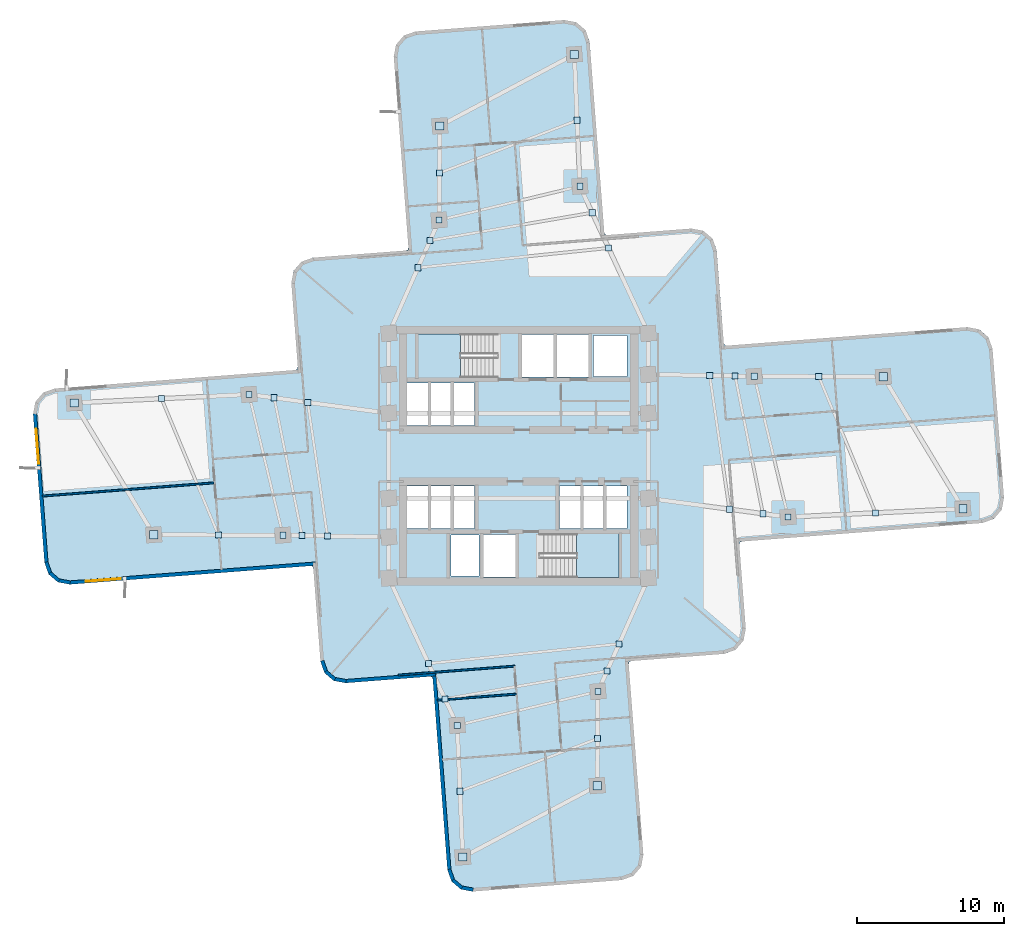
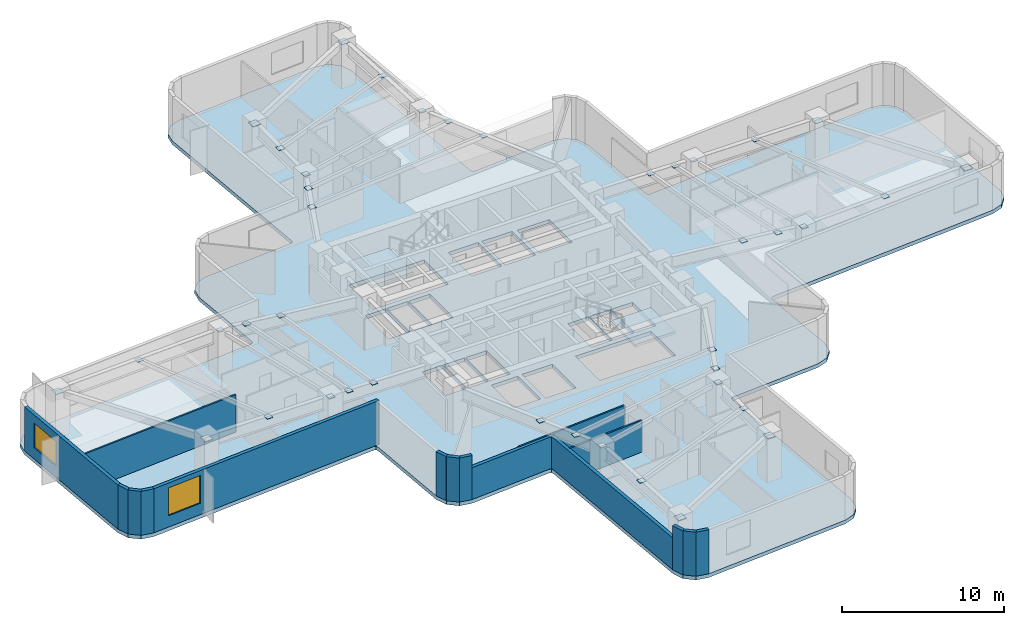
# One storey, part 2 of 10: 40 plates, 16 walls, 3 slabs, 2 windows, 2 openings, 2 elements without a shape of their own.
"""IFC4 building model written with IfcOpenShell, lengths in metres."""

from ifc_helpers import new_model, si_unit, direction, frame, frame_2d, origin, origin_2d, place, context, subcontext, project, spatial, polyline, rectangle, outline, extrude, material, layer, layer_set, type_object, element, fill, aggregate, save


model = new_model("IFC4")

# Units and contexts
model_context = context("Model", 3, precision=1e-05, world=origin(), true_north=direction((0.0, 1.0)))
body_context = subcontext(model_context, "Body", "Model", "MODEL_VIEW")
ifc_project = project(units=[si_unit("LENGTHUNIT", "METRE"), si_unit("AREAUNIT", "SQUARE_METRE"), si_unit("VOLUMEUNIT", "CUBIC_METRE"), si_unit("PLANEANGLEUNIT", "RADIAN"), si_unit("MASSUNIT", "GRAM", prefix="KILO")], contexts=[model_context])

# Site, building, storey
site_placement = place(None, origin())
site = spatial("IfcSite", under=ifc_project, at=site_placement, CompositionType="ELEMENT")
building_placement = place(site_placement, origin())
building = spatial("IfcBuilding", under=site, at=building_placement, Name="Solmarez Civic Tower", CompositionType="ELEMENT")
storey_placement = place(building_placement, frame((0.0, 0.0, 56.8798828125)))
storey = spatial("IfcBuildingStorey", under=building, at=storey_placement, Name="L14", CompositionType="ELEMENT", Elevation=56.8798828125)

# Plates
ifc_material_1 = material(Name="Steel S355", Category="steel")
ifc_layer_1 = layer(ifc_material_1, 0.02392578125)
ifc_layer_set_1 = layer_set([ifc_layer_1], Name="Steel S355")
plate_type_1 = type_object("IfcPlateType", Name="PLT-CAP-380", PredefinedType="USERDEFINED", material=ifc_layer_set_1)
for number, where, z_axis, x_axis, name in (
    (1, (18.39111328125, -4.18408203125, 3.158203125), (0.0, 0.0, 1.0), (1.0, 0.0, 0.0), "Steel Member End Cap Plate CAP-BM-L14-EA-T1-0"),
    (2, (16.075927734375, 5.4208984375, 3.158203125), (0.0, 0.0, 1.0), (1.0, 0.0, 0.0), "Steel Member End Cap Plate CAP-BM-L14-EA-T1-1"),
    (3, (24.35498046875, -3.89697265625, 3.158203125), (0.0, 0.0, 1.0), (1.0, 0.0, 0.0), "Steel Member End Cap Plate CAP-JS-L14-EA-M2-0"),
    (4, (20.48193359375, 5.406982421875, 3.158203125), (0.0, 0.0, 1.0), (1.0, 0.0, 0.0), "Steel Member End Cap Plate CAP-JS-L14-EA-M2-1"),
    (5, (14.384033203125, -3.64501953125, 3.158203125), (0.0, 0.0, 1.0), (1.0, 0.0, 0.0), "Steel Member End Cap Plate CAP-JS-L14-EA-M11-0"),
    (6, (13.041015625, 5.47509765625, 3.158203125), (0.0, 0.0, 1.0), (1.0, 0.0, 0.0), "Steel Member End Cap Plate CAP-JS-L14-EA-M11-1"),
    (7, (16.674072265625, -3.952880859375, 3.158203125), (0.0, 0.0, 1.0), (1.0, 0.0, 0.0), "Steel Member End Cap Plate CAP-JS-L14-EA-M12-0"),
    (8, (14.77490234375, 5.444091796875, 3.158203125), (0.0, 0.0, 1.0), (1.0, 0.0, 0.0), "Steel Member End Cap Plate CAP-JS-L14-EA-M12-1"),
    (9, (4.18408203125, 18.39111328125, 3.158203125), (0.0, 0.0, 1.0), (1.0, 0.0, 0.0), "Steel Member End Cap Plate CAP-BM-L14-NA-T1-0"),
    (10, (-5.4208984375, 16.075927734375, 3.158203125), (0.0, 0.0, 1.0), (1.0, 0.0, 0.0), "Steel Member End Cap Plate CAP-BM-L14-NA-T1-1"),
    (11, (3.9951171875, 22.886962890625, 3.158203125), (0.0, 0.0, 1.0), (1.0, 0.0, 0.0), "Steel Member End Cap Plate CAP-JS-L14-NA-M2-0"),
    (12, (-5.39599609375, 19.291015625, 3.158203125), (0.0, 0.0, 1.0), (1.0, 0.0, 0.0), "Steel Member End Cap Plate CAP-JS-L14-NA-M2-1"),
    (13, (6.14404296875, 14.174072265625, 3.158203125), (0.0, 0.0, 1.0), (1.0, 0.0, 0.0), "Steel Member End Cap Plate CAP-JS-L14-NA-M11-0"),
    (14, (-6.861083984375, 12.8310546875, 3.158203125), (0.0, 0.0, 1.0), (1.0, 0.0, 0.0), "Steel Member End Cap Plate CAP-JS-L14-NA-M11-1"),
    (15, (5.02392578125, 16.583984375, 3.158203125), (0.0, 0.0, 1.0), (1.0, 0.0, 0.0), "Steel Member End Cap Plate CAP-JS-L14-NA-M12-0"),
    (16, (-6.0380859375, 14.68505859375, 3.158203125), (0.0, 0.0, 1.0), (1.0, 0.0, 0.0), "Steel Member End Cap Plate CAP-JS-L14-NA-M12-1"),
    (17, (-18.39111328125, 4.18408203125, 3.158203125), (0.0, 0.0, 1.0), (1.0, 0.0, 0.0), "Steel Member End Cap Plate CAP-BM-L14-WA-T1-0"),
    (18, (-16.075927734375, -5.4208984375, 3.158203125), (0.0, 0.0, 1.0), (1.0, 0.0, 0.0), "Steel Member End Cap Plate CAP-BM-L14-WA-T1-1"),
    (19, (-24.35498046875, 3.89697265625, 3.158203125), (0.0, 0.0, 1.0), (1.0, 0.0, 0.0), "Steel Member End Cap Plate CAP-JS-L14-WA-M2-0"),
    (20, (-20.48193359375, -5.406982421875, 3.158203125), (0.0, 0.0, 1.0), (1.0, 0.0, 0.0), "Steel Member End Cap Plate CAP-JS-L14-WA-M2-1"),
    (21, (-14.384033203125, 3.64501953125, 3.158203125), (0.0, 0.0, 1.0), (1.0, 0.0, 0.0), "Steel Member End Cap Plate CAP-JS-L14-WA-M11-0"),
    (22, (-13.041015625, -5.47509765625, 3.158203125), (0.0, 0.0, 1.0), (1.0, 0.0, 0.0), "Steel Member End Cap Plate CAP-JS-L14-WA-M11-1"),
    (23, (-16.674072265625, 3.952880859375, 3.158203125), (0.0, 0.0, 1.0), (1.0, 0.0, 0.0), "Steel Member End Cap Plate CAP-JS-L14-WA-M12-0"),
    (24, (-14.77490234375, -5.444091796875, 3.158203125), (0.0, 0.0, 1.0), (1.0, 0.0, 0.0), "Steel Member End Cap Plate CAP-JS-L14-WA-M12-1"),
    (25, (-4.18408203125, -18.39111328125, 3.158203125), (0.0, 0.0, 1.0), (1.0, 0.0, 0.0), "Steel Member End Cap Plate CAP-BM-L14-SA-T1-0"),
    (26, (5.4208984375, -16.075927734375, 3.158203125), (0.0, 0.0, 1.0), (1.0, 0.0, 0.0), "Steel Member End Cap Plate CAP-BM-L14-SA-T1-1"),
    (27, (-3.9951171875, -22.886962890625, 3.158203125), (0.0, 0.0, 1.0), (1.0, 0.0, 0.0), "Steel Member End Cap Plate CAP-JS-L14-SA-M2-0"),
    (28, (5.39599609375, -19.291015625, 3.158203125), (0.0, 0.0, 1.0), (1.0, 0.0, 0.0), "Steel Member End Cap Plate CAP-JS-L14-SA-M2-1"),
    (29, (-6.14404296875, -14.174072265625, 3.158203125), (0.0, 0.0, 1.0), (1.0, 0.0, 0.0), "Steel Member End Cap Plate CAP-JS-L14-SA-M11-0"),
    (30, (6.861083984375, -12.8310546875, 3.158203125), (0.0, 0.0, 1.0), (1.0, 0.0, 0.0), "Steel Member End Cap Plate CAP-JS-L14-SA-M11-1"),
    (31, (-5.02392578125, -16.583984375, 3.158203125), (0.0, 0.0, 1.0), (1.0, 0.0, 0.0), "Steel Member End Cap Plate CAP-JS-L14-SA-M12-0"),
    (32, (6.0380859375, -14.68505859375, 3.158203125), (0.0, 0.0, 1.0), (1.0, 0.0, 0.0), "Steel Member End Cap Plate CAP-JS-L14-SA-M12-1"),
):
    element("IfcPlate", number, at=place(storey_placement, frame(where, z_axis=z_axis, x_axis=x_axis)), inside=storey, type_object=plate_type_1, Name=name, ObjectType="CAP_PLATE", PredefinedType="USERDEFINED", context=body_context, shape_type="SweptSolid", body=[
        extrude(rectangle(XDim=0.419921875, YDim=0.419921875, at=origin_2d()), origin(), (0.0, 0.0, 1.0), 0.02392578125),
    ])
ifc_layer_2 = layer(ifc_material_1, 0.028076171875)
ifc_layer_set_2 = layer_set([ifc_layer_2], Name="Steel S355")
plate_type_2 = type_object("IfcPlateType", Name="PLT-CAP-540", PredefinedType="USERDEFINED", material=ifc_layer_set_2)
for number, where, z_axis, x_axis, name in (
    (33, (30.318115234375, -3.60888671875, 3.05615234375), (0.0, 0.0, 1.0), (1.0, 0.0, 0.0), "Steel Member End Cap Plate CAP-BM-L14-EA-T2-0"),
    (34, (24.887939453125, 5.39306640625, 3.05615234375), (0.0, 0.0, 1.0), (1.0, 0.0, 0.0), "Steel Member End Cap Plate CAP-BM-L14-EA-T2-1"),
    (35, (3.806884765625, 27.383056640625, 3.05615234375), (0.0, 0.0, 1.0), (1.0, 0.0, 0.0), "Steel Member End Cap Plate CAP-BM-L14-NA-T2-0"),
    (36, (-5.3720703125, 22.507080078125, 3.05615234375), (0.0, 0.0, 1.0), (1.0, 0.0, 0.0), "Steel Member End Cap Plate CAP-BM-L14-NA-T2-1"),
    (37, (-30.318115234375, 3.60888671875, 3.05615234375), (0.0, 0.0, 1.0), (1.0, 0.0, 0.0), "Steel Member End Cap Plate CAP-BM-L14-WA-T2-0"),
    (38, (-24.887939453125, -5.39306640625, 3.05615234375), (0.0, 0.0, 1.0), (1.0, 0.0, 0.0), "Steel Member End Cap Plate CAP-BM-L14-WA-T2-1"),
    (39, (-3.806884765625, -27.383056640625, 3.05615234375), (0.0, 0.0, 1.0), (1.0, 0.0, 0.0), "Steel Member End Cap Plate CAP-BM-L14-SA-T2-0"),
    (40, (5.3720703125, -22.507080078125, 3.05615234375), (0.0, 0.0, 1.0), (1.0, 0.0, 0.0), "Steel Member End Cap Plate CAP-BM-L14-SA-T2-1"),
):
    element("IfcPlate", number, at=place(storey_placement, frame(where, z_axis=z_axis, x_axis=x_axis)), inside=storey, type_object=plate_type_2, Name=name, ObjectType="CAP_PLATE", PredefinedType="USERDEFINED", context=body_context, shape_type="SweptSolid", body=[
        extrude(rectangle(XDim=0.56005859375, YDim=0.56005859375, at=origin_2d()), origin(), (0.0, 0.0, 1.0), 0.028076171875),
    ])

# Stair, slab
ifc_material_2 = material(Name="Concrete C50/60", Category="concrete")
stair_type = type_object("IfcStairType", Name="STAIR-DOGLEG-140W-20R-1800", PredefinedType="HALF_TURN_STAIR", material=ifc_material_2)
stair_1_placement = place(storey_placement, origin())
stair_1 = element("IfcStair", 41, at=stair_1_placement, inside=storey, type_object=stair_type, Name="L14 North Core Protected Exit Stair ST-1", PredefinedType="HALF_TURN_STAIR")
ifc_layer_3 = layer(ifc_material_2, 0.199951171875)
ifc_layer_set_3 = layer_set([ifc_layer_3], Name="Concrete C50/60")
slab_type_1 = type_object("IfcSlabType", Name="SLAB-LANDING-200", PredefinedType="LANDING", material=ifc_layer_set_3)
slab_1_placement = place(storey_placement, frame((0.0, 0.0, 1.60009765625)))
slab_1 = element("IfcSlab", 42, at=slab_1_placement, type_object=slab_type_1, Name="ST-1 landing 1", PredefinedType="LANDING", context=body_context, shape_type="SweptSolid", body=[
    extrude(outline(polyline([(-3.969970703125, 8.320068359375), (-6.85009765625, 8.320068359375), (-6.85009765625, 5.320068359375), (-3.969970703125, 5.320068359375), (-3.969970703125, 8.320068359375)])), origin(), (0.0, 0.0, 1.0), 0.199951171875),
])
aggregate(stair_1, [slab_1])

stair_2_placement = place(storey_placement, origin())
stair_2 = element("IfcStair", 43, at=stair_2_placement, inside=storey, type_object=stair_type, Name="L14 South Core Protected Exit Stair ST-2", PredefinedType="HALF_TURN_STAIR")
slab_2_placement = place(storey_placement, frame((0.0, 0.0, 1.60009765625)))
slab_2 = element("IfcSlab", 44, at=slab_2_placement, type_object=slab_type_1, Name="ST-2 landing 1", PredefinedType="LANDING", context=body_context, shape_type="SweptSolid", body=[
    extrude(outline(polyline([(3.969970703125, -8.320068359375), (6.85009765625, -8.320068359375), (6.85009765625, -5.320068359375), (3.969970703125, -5.320068359375), (3.969970703125, -8.320068359375)])), origin(), (0.0, 0.0, 1.0), 0.199951171875),
])
aggregate(stair_2, [slab_2])

# Slab
ifc_layer_4 = layer(ifc_material_2, 0.280029296875)
ifc_layer_set_4 = layer_set([ifc_layer_4], Name="Concrete C50/60")
slab_type_2 = type_object("IfcSlabType", Name="SLAB-TOWER-280", PredefinedType="FLOOR", material=ifc_layer_set_4)
slab_3_placement = place(storey_placement, frame((0.0, 0.0, -0.27978515625)))
element("IfcSlab", 45, at=slab_3_placement, inside=storey, type_object=slab_type_2, Name="L14 Structural Slab", PredefinedType="FLOOR", context=body_context, shape_type="SweptSolid", body=[
    extrude(outline(polyline([(-14.0, -7.70703125), (-13.513916015625, -14.028076171875), (-13.239013671875, -14.80908203125), (-12.610107421875, -15.347900390625), (-11.7958984375, -15.5009765625), (-6.072998046875, -15.06005859375), (-5.904052734375, -15.092041015625), (-5.846923828125, -15.25390625), (-4.846923828125, -28.2548828125), (-4.571044921875, -29.035888671875), (-3.943115234375, -29.574951171875), (-3.12890625, -29.72802734375), (7.041015625, -28.945068359375), (7.822998046875, -28.669921875), (8.362060546875, -28.041015625), (8.513916015625, -27.22705078125), (7.513916015625, -14.22607421875), (7.544921875, -14.056884765625), (7.70703125, -14.0), (14.028076171875, -13.513916015625), (14.80908203125, -13.239013671875), (15.347900390625, -12.610107421875), (15.5009765625, -11.7958984375), (15.06005859375, -6.072998046875), (15.092041015625, -5.904052734375), (15.25390625, -5.846923828125), (31.64501953125, -4.5859375), (32.426025390625, -4.31103515625), (32.965087890625, -3.681884765625), (33.117919921875, -2.867919921875), (32.3349609375, 7.302001953125), (32.06005859375, 8.0830078125), (31.430908203125, 8.6220703125), (30.616943359375, 8.77490234375), (14.22607421875, 7.513916015625), (14.056884765625, 7.544921875), (14.0, 7.70703125), (13.513916015625, 14.028076171875), (13.239013671875, 14.80908203125), (12.610107421875, 15.347900390625), (11.7958984375, 15.5009765625), (6.072998046875, 15.06005859375), (5.904052734375, 15.092041015625), (5.846923828125, 15.25390625), (4.846923828125, 28.2548828125), (4.571044921875, 29.035888671875), (3.943115234375, 29.574951171875), (3.12890625, 29.72802734375), (-7.041015625, 28.945068359375), (-7.822998046875, 28.669921875), (-8.362060546875, 28.041015625), (-8.513916015625, 27.22705078125), (-7.513916015625, 14.22607421875), (-7.544921875, 14.056884765625), (-7.70703125, 14.0), (-14.028076171875, 13.513916015625), (-14.80908203125, 13.239013671875), (-15.347900390625, 12.610107421875), (-15.5009765625, 11.7958984375), (-15.06005859375, 6.072998046875), (-15.092041015625, 5.904052734375), (-15.25390625, 5.846923828125), (-31.64501953125, 4.5859375), (-32.426025390625, 4.31103515625), (-32.965087890625, 3.681884765625), (-33.117919921875, 2.867919921875), (-32.3349609375, -7.302001953125), (-32.06005859375, -8.0830078125), (-31.430908203125, -8.6220703125), (-30.616943359375, -8.77490234375), (-14.22607421875, -7.513916015625), (-14.056884765625, -7.544921875), (-14.0, -7.70703125)]), holes=[polyline([(-1.449951171875, 8.320068359375), (-6.85009765625, 8.320068359375), (-6.85009765625, 5.320068359375), (-1.449951171875, 5.320068359375), (-1.449951171875, 8.320068359375)]), polyline([(1.449951171875, -8.320068359375), (6.85009765625, -8.320068359375), (6.85009765625, -5.320068359375), (1.449951171875, -5.320068359375), (1.449951171875, -8.320068359375)]), polyline([(0.219970703125, 5.360107421875), (2.3798828125, 5.360107421875), (2.3798828125, 8.280029296875), (0.219970703125, 8.280029296875), (0.219970703125, 5.360107421875)]), polyline([(2.6201171875, 5.360107421875), (4.780029296875, 5.360107421875), (4.780029296875, 8.280029296875), (2.6201171875, 8.280029296875), (2.6201171875, 5.360107421875)]), polyline([(-2.3798828125, -8.280029296875), (-0.219970703125, -8.280029296875), (-0.219970703125, -5.360107421875), (-2.3798828125, -5.360107421875), (-2.3798828125, -8.280029296875)]), polyline([(2.800048828125, -4.9599609375), (4.280029296875, -4.9599609375), (4.280029296875, -2.06005859375), (2.800048828125, -2.06005859375), (2.800048828125, -4.9599609375)]), polyline([(4.360107421875, -4.9599609375), (5.840087890625, -4.9599609375), (5.840087890625, -2.06005859375), (4.360107421875, -2.06005859375), (4.360107421875, -4.9599609375)]), polyline([(5.919921875, -4.9599609375), (7.39990234375, -4.9599609375), (7.39990234375, -2.06005859375), (5.919921875, -2.06005859375), (5.919921875, -4.9599609375)]), polyline([(-7.60009765625, -4.9599609375), (-6.1201171875, -4.9599609375), (-6.1201171875, -2.06005859375), (-7.60009765625, -2.06005859375), (-7.60009765625, -4.9599609375)]), polyline([(-6.0400390625, -4.9599609375), (-4.56005859375, -4.9599609375), (-4.56005859375, -2.06005859375), (-6.0400390625, -2.06005859375), (-6.0400390625, -4.9599609375)]), polyline([(-4.47998046875, -4.9599609375), (-3.0, -4.9599609375), (-3.0, -2.06005859375), (-4.47998046875, -2.06005859375), (-4.47998046875, -4.9599609375)]), polyline([(-7.60009765625, 2.06005859375), (-6.1201171875, 2.06005859375), (-6.1201171875, 4.9599609375), (-7.60009765625, 4.9599609375), (-7.60009765625, 2.06005859375)]), polyline([(-6.0400390625, 2.06005859375), (-4.56005859375, 2.06005859375), (-4.56005859375, 4.9599609375), (-6.0400390625, 4.9599609375), (-6.0400390625, 2.06005859375)]), polyline([(-4.47998046875, 2.06005859375), (-3.0, 2.06005859375), (-3.0, 4.9599609375), (-4.47998046875, 4.9599609375), (-4.47998046875, 2.06005859375)]), polyline([(5.10009765625, 5.419921875), (7.39990234375, 5.419921875), (7.39990234375, 8.219970703125), (5.10009765625, 8.219970703125), (5.10009765625, 5.419921875)]), polyline([(-4.60009765625, -8.219970703125), (-2.699951171875, -8.219970703125), (-2.699951171875, -5.419921875), (-4.60009765625, -5.419921875), (-4.60009765625, -8.219970703125)])]), origin(), (0.0, 0.0, 1.0), 0.27978515625),
])

# Wall, opening, window
ifc_material_3 = material(Name="Precast concrete C40/50", Category="concrete")
ifc_layer_5 = layer(ifc_material_3, 0.239990234375)
ifc_layer_set_5 = layer_set([ifc_layer_5], Name="Precast concrete C40/50")
wall_type_1 = type_object("IfcWallType", Name="WALL-EXT-240", PredefinedType="SOLIDWALL", material=ifc_layer_set_5)
wall_1_placement = place(storey_placement, frame((-13.81005859375, -7.362060546875, 0.0), z_axis=(0.0, 0.0, 1.0), x_axis=(-0.997055761943, -0.076679903335, 0.0)))
wall_1 = element("IfcWall", 46, at=wall_1_placement, inside=storey, type_object=wall_type_1, Name="L14 Exterior Precast Wall 2", PredefinedType="SOLIDWALL", context=body_context, shape_type="SweptSolid", body=[
    extrude(rectangle(XDim=16.874755859375, YDim=0.239990234375, at=frame_2d((8.4375, 0.0))), origin(), (0.0, 0.0, 1.0), 3.320068359375),
])
opening_1_placement = place(wall_1_placement, frame((13.375, 0.0, 0.85009765625)))
opening_1 = element("IfcOpeningElement", 47, at=opening_1_placement, cuts=wall_1, Name="Opening W-02", PredefinedType="OPENING", context=body_context, shape_type="SweptSolid", body=[
    extrude(rectangle(XDim=2.39990234375, YDim=2.10009765625, at=frame_2d((1.199951171875, 1.050048828125))), frame((0.0, 0.1298828125, 0.0), z_axis=(0.0, -1.0, 0.0), x_axis=(1.0, 0.0, 0.0)), (0.0, 0.0, 1.0), 0.260009765625),
])
ifc_material_4 = material(Name="Solar Control Bronze-Tinted Insulating Glass", Category="glass")
window_type_1 = type_object("IfcWindowType", Name="WIN-2400X2100", PartitioningType="SINGLE_PANEL", PredefinedType="WINDOW", material=ifc_material_4)
window_1_placement = place(opening_1_placement, origin())
window_1 = element("IfcWindow", 48, at=window_1_placement, inside=storey, type_object=window_type_1, Name="L14 Exterior Facade Window 2", OverallHeight=2.10009765625, OverallWidth=2.39990234375, PartitioningType="SINGLE_PANEL", PredefinedType="WINDOW", context=body_context, shape_type="SweptSolid", body=[
    extrude(rectangle(XDim=2.39990234375, YDim=2.10009765625, at=frame_2d((1.199951171875, 1.050048828125))), frame((0.0, 0.030029296875, 0.0), z_axis=(0.0, -1.0, 0.0), x_axis=(1.0, 0.0, 0.0)), (0.0, 0.0, 1.0), 0.06005859375),
])
fill(opening_1, window_1)

# Walls
wall_2_placement = place(storey_placement, frame((-30.5849609375, -8.658935546875, 0.0), z_axis=(0.0, 0.0, 1.0), x_axis=(-0.982688894005, 0.185263427582, 0.0)))
element("IfcWall", 49, at=wall_2_placement, inside=storey, type_object=wall_type_1, Name="L14 Exterior Precast Wall 3", PredefinedType="SOLIDWALL", context=body_context, shape_type="SweptSolid", body=[
    extrude(rectangle(XDim=0.83154296875, YDim=0.239990234375, at=frame_2d((0.415771484375, 0.0))), origin(), (0.0, 0.0, 1.0), 3.320068359375),
])
wall_3_placement = place(storey_placement, frame((-31.35791015625, -8.52587890625, 0.0), z_axis=(0.0, 0.0, 1.0), x_axis=(-0.759891778471, 0.650049601962, 0.0)))
element("IfcWall", 50, at=wall_3_placement, inside=storey, type_object=wall_type_1, Name="L14 Exterior Precast Wall 4", PredefinedType="SOLIDWALL", context=body_context, shape_type="SweptSolid", body=[
    extrude(rectangle(XDim=0.8134765625, YDim=0.239990234375, at=frame_2d((0.40673828125, 0.0))), origin(), (0.0, 0.0, 1.0), 3.320068359375),
])
wall_4_placement = place(storey_placement, frame((-31.948974609375, -8.037109375, 0.0), z_axis=(0.0, 0.0, 1.0), x_axis=(-0.332128799234, 0.943234043448, 0.0)))
element("IfcWall", 51, at=wall_4_placement, inside=storey, type_object=wall_type_1, Name="L14 Exterior Precast Wall 5", PredefinedType="SOLIDWALL", context=body_context, shape_type="SweptSolid", body=[
    extrude(rectangle(XDim=0.831298828125, YDim=0.239990234375, at=frame_2d((0.41552734375, 0.0))), origin(), (0.0, 0.0, 1.0), 3.320068359375),
])

# Wall, opening, window
wall_5_placement = place(storey_placement, frame((-32.215087890625, -7.302001953125, 0.0), z_axis=(0.0, 0.0, 1.0), x_axis=(-0.076720251263, 0.997052658111, 0.0)))
wall_5 = element("IfcWall", 52, at=wall_5_placement, inside=storey, type_object=wall_type_1, Name="L14 Exterior Precast Wall 6", PredefinedType="SOLIDWALL", context=body_context, shape_type="SweptSolid", body=[
    extrude(rectangle(XDim=10.218017578125, YDim=0.239990234375, at=frame_2d((5.10888671875, 0.0))), origin(), (0.0, 0.0, 1.0), 3.320068359375),
])
opening_2_placement = place(wall_5_placement, frame((6.77001953125, 0.0, 0.85009765625)))
opening_2 = element("IfcOpeningElement", 53, at=opening_2_placement, cuts=wall_5, Name="Opening W-06", PredefinedType="OPENING", context=body_context, shape_type="SweptSolid", body=[
    extrude(rectangle(XDim=2.39990234375, YDim=1.85009765625, at=frame_2d((1.199951171875, 0.925048828125))), frame((0.0, 0.1298828125, 0.0), z_axis=(0.0, -1.0, 0.0), x_axis=(1.0, 0.0, 0.0)), (0.0, 0.0, 1.0), 0.260009765625),
])
window_type_2 = type_object("IfcWindowType", Name="WIN-2400X1850", PartitioningType="SINGLE_PANEL", PredefinedType="WINDOW", material=ifc_material_4)
window_2_placement = place(opening_2_placement, origin())
window_2 = element("IfcWindow", 54, at=window_2_placement, inside=storey, type_object=window_type_2, Name="L14 Exterior Facade Window 6", OverallHeight=1.85009765625, OverallWidth=2.39990234375, PartitioningType="SINGLE_PANEL", PredefinedType="WINDOW", context=body_context, shape_type="SweptSolid", body=[
    extrude(rectangle(XDim=2.39990234375, YDim=1.85009765625, at=frame_2d((1.199951171875, 0.925048828125))), frame((0.0, 0.030029296875, 0.0), z_axis=(0.0, -1.0, 0.0), x_axis=(1.0, 0.0, 0.0)), (0.0, 0.0, 1.0), 0.06005859375),
])
fill(opening_2, window_2)

# Walls
wall_6_placement = place(storey_placement, frame((-3.096923828125, -29.612060546875, 0.0), z_axis=(0.0, 0.0, 1.0), x_axis=(-0.982688894005, 0.185263427582, 0.0)))
element("IfcWall", 55, at=wall_6_placement, inside=storey, type_object=wall_type_1, Name="L14 Exterior Precast Wall 61", PredefinedType="SOLIDWALL", context=body_context, shape_type="SweptSolid", body=[
    extrude(rectangle(XDim=0.83154296875, YDim=0.239990234375, at=frame_2d((0.415771484375, 0.0))), origin(), (0.0, 0.0, 1.0), 3.320068359375),
])
wall_7_placement = place(storey_placement, frame((-3.8701171875, -29.47900390625, 0.0), z_axis=(0.0, 0.0, 1.0), x_axis=(-0.759616636226, 0.650371098657, 0.0)))
element("IfcWall", 56, at=wall_7_placement, inside=storey, type_object=wall_type_1, Name="L14 Exterior Precast Wall 62", PredefinedType="SOLIDWALL", context=body_context, shape_type="SweptSolid", body=[
    extrude(rectangle(XDim=0.8134765625, YDim=0.239990234375, at=frame_2d((0.40673828125, 0.0))), origin(), (0.0, 0.0, 1.0), 3.320068359375),
])
wall_8_placement = place(storey_placement, frame((-4.4609375, -28.989990234375, 0.0), z_axis=(0.0, 0.0, 1.0), x_axis=(-0.331174926, 0.943569376564, 0.0)))
element("IfcWall", 57, at=wall_8_placement, inside=storey, type_object=wall_type_1, Name="L14 Exterior Precast Wall 63", PredefinedType="SOLIDWALL", context=body_context, shape_type="SweptSolid", body=[
    extrude(rectangle(XDim=0.830810546875, YDim=0.239990234375, at=frame_2d((0.41552734375, 0.0))), origin(), (0.0, 0.0, 1.0), 3.320068359375),
])
wall_9_placement = place(storey_placement, frame((-4.72607421875, -28.2548828125, 0.0), z_axis=(0.0, 0.0, 1.0), x_axis=(-0.076726978627, 0.997052140437, 0.0)))
element("IfcWall", 58, at=wall_9_placement, inside=storey, type_object=wall_type_1, Name="L14 Exterior Precast Wall 64", PredefinedType="SOLIDWALL", context=body_context, shape_type="SweptSolid", body=[
    extrude(rectangle(XDim=13.4755859375, YDim=0.239990234375, at=frame_2d((6.73779296875, 0.0))), origin(), (0.0, 0.0, 1.0), 2.401123046875),
])
wall_10_placement = place(storey_placement, frame((-5.656982421875, -14.907958984375, 0.0), z_axis=(0.0, 0.0, 1.0), x_axis=(-0.997048202977, -0.076778128006, 0.0)))
element("IfcWall", 59, at=wall_10_placement, inside=storey, type_object=wall_type_1, Name="L14 Exterior Precast Wall 67", PredefinedType="SOLIDWALL", context=body_context, shape_type="SweptSolid", body=[
    extrude(rectangle(XDim=6.17529296875, YDim=0.239990234375, at=frame_2d((3.087646484375, 0.0))), origin(), (0.0, 0.0, 1.0), 2.401123046875),
])
wall_11_placement = place(storey_placement, frame((-11.763916015625, -15.385009765625, 0.0), z_axis=(0.0, 0.0, 1.0), x_axis=(-0.982688894005, 0.185263427582, 0.0)))
element("IfcWall", 60, at=wall_11_placement, inside=storey, type_object=wall_type_1, Name="L14 Exterior Precast Wall 68", PredefinedType="SOLIDWALL", context=body_context, shape_type="SweptSolid", body=[
    extrude(rectangle(XDim=0.83154296875, YDim=0.239990234375, at=frame_2d((0.415771484375, 0.0))), origin(), (0.0, 0.0, 1.0), 3.320068359375),
])
wall_12_placement = place(storey_placement, frame((-12.537109375, -15.251953125, 0.0), z_axis=(0.0, 0.0, 1.0), x_axis=(-0.759616636226, 0.650371098657, 0.0)))
element("IfcWall", 61, at=wall_12_placement, inside=storey, type_object=wall_type_1, Name="L14 Exterior Precast Wall 69", PredefinedType="SOLIDWALL", context=body_context, shape_type="SweptSolid", body=[
    extrude(rectangle(XDim=0.8134765625, YDim=0.239990234375, at=frame_2d((0.40673828125, 0.0))), origin(), (0.0, 0.0, 1.0), 3.320068359375),
])
wall_13_placement = place(storey_placement, frame((-13.1279296875, -14.762939453125, 0.0), z_axis=(0.0, 0.0, 1.0), x_axis=(-0.331174926, 0.943569376564, 0.0)))
element("IfcWall", 62, at=wall_13_placement, inside=storey, type_object=wall_type_1, Name="L14 Exterior Precast Wall 70", PredefinedType="SOLIDWALL", context=body_context, shape_type="SweptSolid", body=[
    extrude(rectangle(XDim=0.830810546875, YDim=0.239990234375, at=frame_2d((0.41552734375, 0.0))), origin(), (0.0, 0.0, 1.0), 3.320068359375),
])
ifc_material_5 = material(Name="Gypsum Board Acoustic Steel-Stud Partition", Category="steel")
ifc_layer_6 = layer(ifc_material_5, 0.110107421875)
ifc_layer_set_6 = layer_set([ifc_layer_6], Name="Gypsum Board Acoustic Steel-Stud Partition")
wall_type_2 = type_object("IfcWallType", Name="WALL-INT-PART-110", PredefinedType="PARTITIONING", material=ifc_layer_set_6)
wall_14_placement = place(storey_placement, frame((-20.7890625, -1.85009765625, 0.0), z_axis=(0.0, 0.0, 1.0), x_axis=(-0.997050564889, -0.076747449822, 0.0)))
element("IfcWall", 63, at=wall_14_placement, inside=storey, type_object=wall_type_2, Name="L14 Interior Partition PT-L14-W-TM", PredefinedType="PARTITIONING", context=body_context, shape_type="SweptSolid", body=[
    extrude(rectangle(XDim=11.7255859375, YDim=0.110107421875, at=frame_2d((5.86279296875, 0.0))), origin(), (0.0, 0.0, 1.0), 2.81201171875),
])
wall_15_placement = place(storey_placement, frame((-8.197021484375, -14.962890625, 0.0), z_axis=(0.0, 0.0, 1.0), x_axis=(0.99705358226, 0.076708240121, 0.0)))
element("IfcWall", 64, at=wall_15_placement, inside=storey, type_object=wall_type_2, Name="L14 Interior Partition PT-L14-S-EFR", PredefinedType="PARTITIONING", context=body_context, shape_type="SweptSolid", body=[
    extrude(rectangle(XDim=7.950439453125, YDim=0.110107421875, at=frame_2d((3.97509765625, 0.0))), origin(), (0.0, 0.0, 1.0), 2.401123046875),
])
wall_16_placement = place(storey_placement, frame((-5.531982421875, -16.673095703125, 0.0), z_axis=(0.0, 0.0, 1.0), x_axis=(0.997064061186, 0.076571913196, 0.0)))
element("IfcWall", 65, at=wall_16_placement, inside=storey, type_object=wall_type_2, Name="L14 Interior Partition PT-L14-S-RM", PredefinedType="PARTITIONING", context=body_context, shape_type="SweptSolid", body=[
    extrude(rectangle(XDim=5.394775390625, YDim=0.110107421875, at=frame_2d((2.697265625, 0.0))), origin(), (0.0, 0.0, 1.0), 2.401123046875),
])

save(model, "model.ifc")
